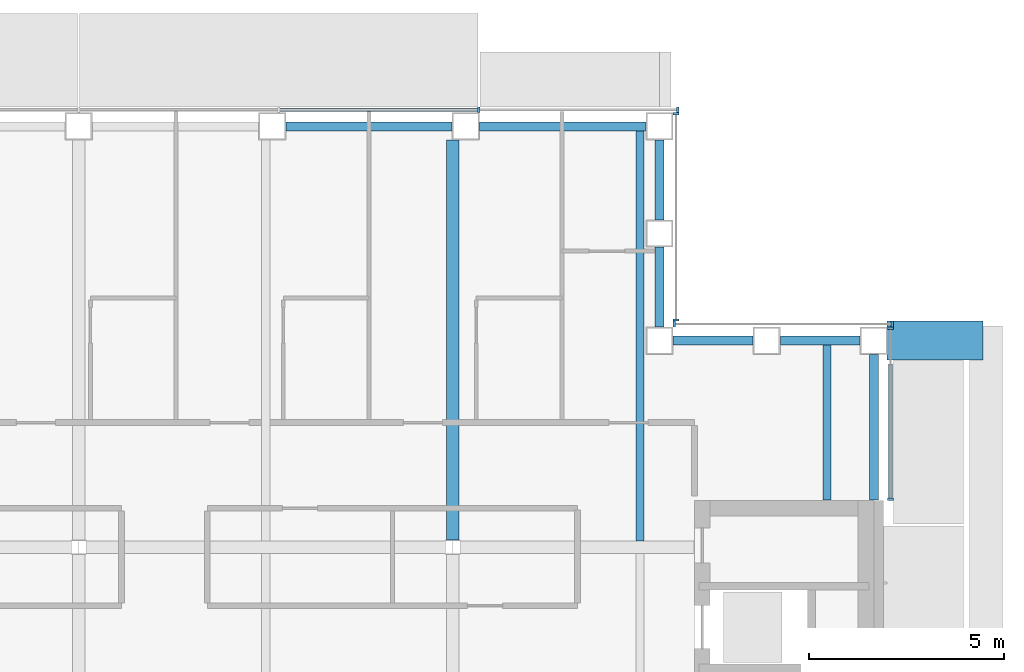
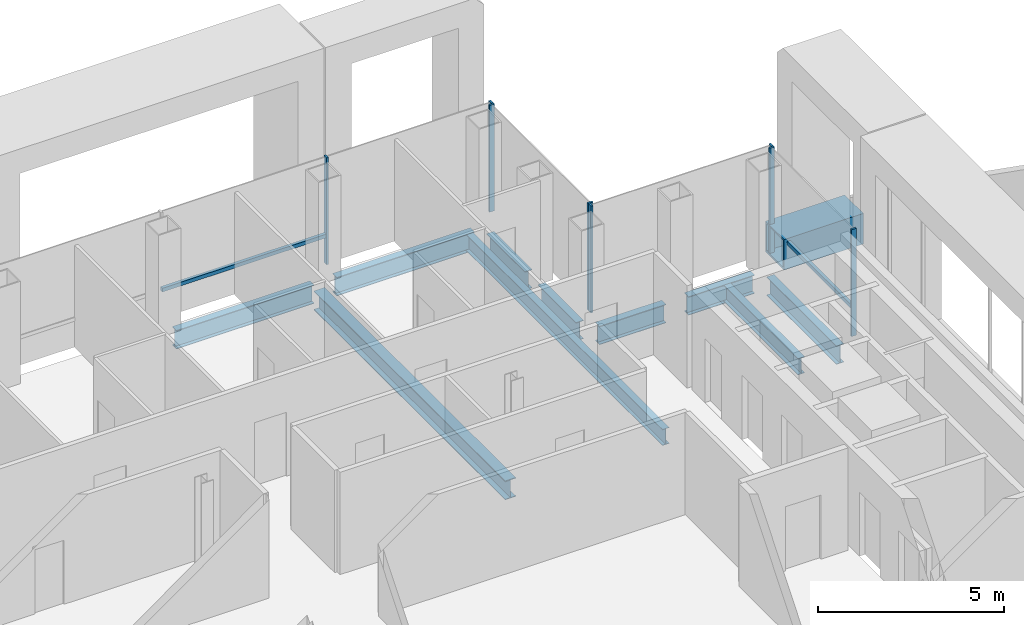
# One storey, part 9 of 21: 11 beams, 10 members, 4 elements without a shape of their own.
"""IFC4 building model written with IfcOpenShell, lengths in metres."""

from ifc_helpers import new_model, si_unit, direction, frame, origin, origin_2d, place, context, subcontext, project, spatial, rectangle, hollow_rectangle, i_section, extrude, material, material_profile, profile_set, type_object, element, aggregate, save


model = new_model("IFC4")

# Units and contexts
model_context = context("Model", 3, precision=1e-05, world=origin(), true_north=direction((0.0, 1.0)))
body_context = subcontext(model_context, "Body", "Model", "MODEL_VIEW")
ifc_project = project(units=[si_unit("LENGTHUNIT", "METRE"), si_unit("AREAUNIT", "SQUARE_METRE"), si_unit("VOLUMEUNIT", "CUBIC_METRE"), si_unit("PLANEANGLEUNIT", "RADIAN"), si_unit("MASSUNIT", "GRAM", prefix="KILO")], contexts=[model_context])

# Site, building, storey
site_placement = place(None, origin())
site = spatial("IfcSite", under=ifc_project, at=site_placement, CompositionType="ELEMENT")
building_placement = place(site_placement, origin())
building = spatial("IfcBuilding", under=site, at=building_placement, Name="Cobrizo Arcos Hotel Tower", CompositionType="ELEMENT")
storey_placement = place(building_placement, frame((0.0, 0.0, 212.0)))
storey = spatial("IfcBuildingStorey", under=building, at=storey_placement, Name="L55", CompositionType="ELEMENT", Elevation=212.0)

# Beam
ifc_material_1 = material(Name="Steel ASTM A572 Grade 50", Category="steel")
ifc_material_profile_1 = material_profile(ifc_material_1, hollow_rectangle(XDim=1.0, YDim=1.0, WallThickness=0.06005859375, at=origin_2d()), Name="BOX 1000X1000X60")
ifc_profile_set_1 = profile_set([ifc_material_profile_1], Name="Steel ASTM A572 Grade 50")
beam_type_1 = type_object("IfcBeamType", Name="BOX 1000X1000X60 brace connector strut", PredefinedType="BEAM", material=ifc_profile_set_1)
beam_1_placement = place(storey_placement, frame((20.739990234375, 14.89990234375, 0.5), z_axis=(1.0, 0.0, 0.0), x_axis=(0.0, 1.0, 0.0)))
element("IfcBeam", 1, at=beam_1_placement, inside=storey, type_object=beam_type_1, Name="Perimeter brace stub BS1, zone Z4, east face, offset +14.90 m, L55", PredefinedType="BEAM", context=body_context, shape_type="SweptSolid", body=[
    extrude(hollow_rectangle(XDim=1.0, YDim=1.0, WallThickness=0.06005859375, at=origin_2d()), origin(), (0.0, 0.0, 1.0), 2.455078125),
])

# Curtain wall, members
ifc_material_2 = material(Name="Aluminium 6063-T6 anodised bronze", Category="aluminium")
curtain_wall_type = type_object("IfcCurtainWallType", Name="CW-A guest facade", PredefinedType="NOTDEFINED", material=ifc_material_2)
curtain_wall_1_placement = place(storey_placement, origin())
curtain_wall_1 = element("IfcCurtainWall", 2, at=curtain_wall_1_placement, inside=storey, type_object=curtain_wall_type, Name="CW-A L55 E face", PredefinedType="NOTDEFINED")
ifc_material_profile_2 = material_profile(ifc_material_2, rectangle(XDim=0.14990234375, YDim=0.06005859375, at=origin_2d()), Name="CW-A mullion 150x60")
ifc_profile_set_2 = profile_set([ifc_material_profile_2], Name="Aluminium 6063-T6 anodised bronze")
member_type_1 = type_object("IfcMemberType", Name="CW-A mullion 150x60", PredefinedType="MULLION", material=ifc_profile_set_2)
member_1_placement = place(storey_placement, frame((20.824951171875, 10.830078125, 0.0), z_axis=(0.0, 0.0, 1.0), x_axis=(1.0, 0.0, 0.0)))
member_1 = element("IfcMember", 3, at=member_1_placement, type_object=member_type_1, Name="CW-A mullion 1", PredefinedType="MULLION", context=body_context, shape_type="SweptSolid", body=[
    extrude(rectangle(XDim=0.14990234375, YDim=0.06005859375, at=origin_2d()), origin(), (0.0, 0.0, 1.0), 3.5),
])
member_2_placement = place(storey_placement, frame((20.824951171875, 15.219970703125, 0.0), z_axis=(0.0, 0.0, 1.0), x_axis=(1.0, 0.0, 0.0)))
member_2 = element("IfcMember", 4, at=member_2_placement, type_object=member_type_1, Name="CW-A mullion 2", PredefinedType="MULLION", context=body_context, shape_type="SweptSolid", body=[
    extrude(rectangle(XDim=0.14990234375, YDim=0.06005859375, at=origin_2d()), origin(), (0.0, 0.0, 1.0), 3.5),
])

curtain_wall_2_placement = place(storey_placement, origin())
curtain_wall_2 = element("IfcCurtainWall", 5, at=curtain_wall_2_placement, inside=storey, type_object=curtain_wall_type, Name="CW-A L55 N face", PredefinedType="NOTDEFINED")
member_3_placement = place(storey_placement, frame((20.8701171875, 15.324951171875, 0.0), z_axis=(0.0, 0.0, 1.0), x_axis=(0.0, 1.0, 0.0)))
member_3 = element("IfcMember", 6, at=member_3_placement, type_object=member_type_1, Name="CW-A mullion 1", PredefinedType="MULLION", context=body_context, shape_type="SweptSolid", body=[
    extrude(rectangle(XDim=0.14990234375, YDim=0.06005859375, at=origin_2d()), origin(), (0.0, 0.0, 1.0), 3.5),
])
member_4_placement = place(storey_placement, frame((15.280029296875, 15.324951171875, 0.0), z_axis=(0.0, 0.0, 1.0), x_axis=(0.0, 1.0, 0.0)))
member_4 = element("IfcMember", 7, at=member_4_placement, type_object=member_type_1, Name="CW-A mullion 2", PredefinedType="MULLION", context=body_context, shape_type="SweptSolid", body=[
    extrude(rectangle(XDim=0.14990234375, YDim=0.06005859375, at=origin_2d()), origin(), (0.0, 0.0, 1.0), 3.5),
])
aggregate(curtain_wall_2, [member_3, member_4])

curtain_wall_3_placement = place(storey_placement, origin())
curtain_wall_3 = element("IfcCurtainWall", 8, at=curtain_wall_3_placement, inside=storey, type_object=curtain_wall_type, Name="CW-A L55 E face", PredefinedType="NOTDEFINED")
member_5_placement = place(storey_placement, frame((15.324951171875, 15.429931640625, 0.0), z_axis=(0.0, 0.0, 1.0), x_axis=(1.0, 0.0, 0.0)))
member_5 = element("IfcMember", 9, at=member_5_placement, type_object=member_type_1, Name="CW-A mullion 1", PredefinedType="MULLION", context=body_context, shape_type="SweptSolid", body=[
    extrude(rectangle(XDim=0.14990234375, YDim=0.06005859375, at=origin_2d()), origin(), (0.0, 0.0, 1.0), 3.5),
])
member_6_placement = place(storey_placement, frame((15.324951171875, 20.719970703125, 0.0), z_axis=(0.0, 0.0, 1.0), x_axis=(1.0, 0.0, 0.0)))
member_6 = element("IfcMember", 10, at=member_6_placement, type_object=member_type_1, Name="CW-A mullion 2", PredefinedType="MULLION", context=body_context, shape_type="SweptSolid", body=[
    extrude(rectangle(XDim=0.14990234375, YDim=0.06005859375, at=origin_2d()), origin(), (0.0, 0.0, 1.0), 3.5),
])
aggregate(curtain_wall_3, [member_5, member_6])

curtain_wall_4_placement = place(storey_placement, origin())
curtain_wall_4 = element("IfcCurtainWall", 11, at=curtain_wall_4_placement, inside=storey, type_object=curtain_wall_type, Name="CW-A L55 N face", PredefinedType="NOTDEFINED")
member_7_placement = place(storey_placement, frame((15.3701171875, 20.824951171875, 0.0), z_axis=(0.0, 0.0, 1.0), x_axis=(0.0, 1.0, 0.0)))
member_7 = element("IfcMember", 12, at=member_7_placement, type_object=member_type_1, Name="CW-A mullion 1", PredefinedType="MULLION", context=body_context, shape_type="SweptSolid", body=[
    extrude(rectangle(XDim=0.14990234375, YDim=0.06005859375, at=origin_2d()), origin(), (0.0, 0.0, 1.0), 3.5),
])
member_8_placement = place(storey_placement, frame((10.2666015625, 20.824951171875, 0.0), z_axis=(0.0, 0.0, 1.0), x_axis=(0.0, 1.0, 0.0)))
member_8 = element("IfcMember", 13, at=member_8_placement, type_object=member_type_1, Name="CW-A mullion 2", PredefinedType="MULLION", context=body_context, shape_type="SweptSolid", body=[
    extrude(rectangle(XDim=0.14990234375, YDim=0.06005859375, at=origin_2d()), origin(), (0.0, 0.0, 1.0), 3.5),
])

# Member
ifc_material_profile_3 = material_profile(ifc_material_2, rectangle(XDim=0.10009765625, YDim=0.1201171875, at=origin_2d()), Name="CW-A transom 120x100")
ifc_profile_set_3 = profile_set([ifc_material_profile_3], Name="Aluminium 6063-T6 anodised bronze")
member_type_2 = type_object("IfcMemberType", Name="CW-A transom 120x100", PredefinedType="USERDEFINED", material=ifc_profile_set_3)
member_9_placement = place(storey_placement, frame((20.824951171875, 10.860107421875, 0.929931640625), z_axis=(0.0, 1.0, 0.0), x_axis=(-1.0, 0.0, 0.0)))
member_9 = element("IfcMember", 14, at=member_9_placement, type_object=member_type_2, Name="CW-A transom 1849", ObjectType="TRANSOM", PredefinedType="USERDEFINED", context=body_context, shape_type="SweptSolid", body=[
    extrude(rectangle(XDim=0.10009765625, YDim=0.1201171875, at=origin_2d()), origin(), (0.0, 0.0, 1.0), 3.43994140625),
])

aggregate(curtain_wall_1, [member_1, member_2, member_9])

member_10_placement = place(storey_placement, frame((10.236572265625, 20.824951171875, 0.929931640625), z_axis=(-1.0, 0.0, 0.0), x_axis=(0.0, -1.0, 0.0)))
member_10 = element("IfcMember", 15, at=member_10_placement, type_object=member_type_2, Name="CW-A transom 1853", ObjectType="TRANSOM", PredefinedType="USERDEFINED", context=body_context, shape_type="SweptSolid", body=[
    extrude(rectangle(XDim=0.10009765625, YDim=0.1201171875, at=origin_2d()), origin(), (0.0, 0.0, 1.0), 5.0732421875),
])

aggregate(curtain_wall_4, [member_7, member_8, member_10])

# Beams
ifc_material_3 = material(Name="Steel ASTM A992 Grade 50", Category="steel")
ifc_material_profile_4 = material_profile(ifc_material_3, i_section(OverallWidth=0.209228515625, OverallDepth=0.533447265625, WebThickness=0.01025390625, FlangeThickness=0.015625, at=origin_2d()), Name="W21X62")
ifc_profile_set_4 = profile_set([ifc_material_profile_4], Name="Steel ASTM A992 Grade 50")
beam_type_2 = type_object("IfcBeamType", Name="W21X62 joist", PredefinedType="JOIST", material=ifc_profile_set_4)
beam_2_placement = place(storey_placement, frame((14.39990234375, 9.763916015625, -0.416748046875), z_axis=(0.0, 1.0, 0.0), x_axis=(-1.0, 0.0, 0.0)))
element("IfcBeam", 16, at=beam_2_placement, inside=storey, type_object=beam_type_2, Name="Floor joist J1, L55, no. 018", PredefinedType="JOIST", context=body_context, shape_type="SweptSolid", body=[
    extrude(i_section(OverallWidth=0.209228515625, OverallDepth=0.533447265625, WebThickness=0.01025390625, FlangeThickness=0.015625, at=origin_2d()), origin(), (0.0, 0.0, 1.0), 10.546142578125),
])
beam_3_placement = place(storey_placement, frame((19.199951171875, 10.81005859375, -0.416748046875), z_axis=(0.0, 1.0, 0.0), x_axis=(-1.0, 0.0, 0.0)))
element("IfcBeam", 17, at=beam_3_placement, inside=storey, type_object=beam_type_2, Name="Floor joist J1, L55, no. 020", PredefinedType="JOIST", context=body_context, shape_type="SweptSolid", body=[
    extrude(i_section(OverallWidth=0.209228515625, OverallDepth=0.533447265625, WebThickness=0.01025390625, FlangeThickness=0.015625, at=origin_2d()), origin(), (0.0, 0.0, 1.0), 4.0),
])
ifc_material_profile_5 = material_profile(ifc_material_3, i_section(OverallWidth=0.32763671875, OverallDepth=0.622314453125, WebThickness=0.015380859375, FlangeThickness=0.0244140625, at=origin_2d()), Name="W24X131")
ifc_profile_set_5 = profile_set([ifc_material_profile_5], Name="Steel ASTM A992 Grade 50")
beam_type_3 = type_object("IfcBeamType", Name="W24X131 girder", PredefinedType="BEAM", material=ifc_profile_set_5)
beam_4_placement = place(storey_placement, frame((9.60009765625, 9.78662109375, -0.461181640625), z_axis=(0.0, 1.0, 0.0), x_axis=(-1.0, 0.0, 0.0)))
element("IfcBeam", 18, at=beam_4_placement, inside=storey, type_object=beam_type_3, Name="Floor girder G1, L55, no. 024", PredefinedType="BEAM", context=body_context, shape_type="SweptSolid", body=[
    extrude(i_section(OverallWidth=0.32763671875, OverallDepth=0.622314453125, WebThickness=0.015380859375, FlangeThickness=0.0244140625, at=origin_2d()), origin(), (0.0, 0.0, 1.0), 10.263427734375),
])
ifc_material_profile_6 = material_profile(ifc_material_3, i_section(OverallWidth=0.228271484375, OverallDepth=0.607177734375, WebThickness=0.01123046875, FlangeThickness=0.017333984375, at=origin_2d()), Name="W24X76")
ifc_profile_set_6 = profile_set([ifc_material_profile_6], Name="Steel ASTM A992 Grade 50")
beam_type_4 = type_object("IfcBeamType", Name="W24X76 spandrel", PredefinedType="SPANDREL", material=ifc_profile_set_6)
beam_5_placement = place(storey_placement, frame((20.39990234375, 10.81005859375, -0.45361328125), z_axis=(0.0, 1.0, 0.0), x_axis=(-1.0, 0.0, 0.0)))
element("IfcBeam", 19, at=beam_5_placement, inside=storey, type_object=beam_type_4, Name="Spandrel beam W24X76, L55, no. 012", PredefinedType="SPANDREL", context=body_context, shape_type="SweptSolid", body=[
    extrude(i_section(OverallWidth=0.228271484375, OverallDepth=0.607177734375, WebThickness=0.01123046875, FlangeThickness=0.017333984375, at=origin_2d()), origin(), (0.0, 0.0, 1.0), 3.739990234375),
])
for number, where, z_axis, x_axis, name in (
    (20, (20.050048828125, 14.89990234375, -0.45361328125), (-1.0, 0.0, 0.0), (0.0, -1.0, 0.0), "Spandrel beam W24X76, L55, no. 013"),
    (21, (17.300048828125, 14.89990234375, -0.45361328125), (-1.0, 0.0, 0.0), (0.0, -1.0, 0.0), "Spandrel beam W24X76, L55, no. 014"),
    (22, (14.89990234375, 15.25, -0.45361328125), (0.0, 1.0, 0.0), (-1.0, 0.0, 0.0), "Spandrel beam W24X76, L55, no. 015"),
    (23, (14.89990234375, 18.0, -0.45361328125), (0.0, 1.0, 0.0), (-1.0, 0.0, 0.0), "Spandrel beam W24X76, L55, no. 016"),
):
    element("IfcBeam", number, at=place(storey_placement, frame(where, z_axis=z_axis, x_axis=x_axis)), inside=storey, type_object=beam_type_4, Name=name, PredefinedType="SPANDREL", context=body_context, shape_type="SweptSolid", body=[
        extrude(i_section(OverallWidth=0.228271484375, OverallDepth=0.607177734375, WebThickness=0.01123046875, FlangeThickness=0.017333984375, at=origin_2d()), origin(), (0.0, 0.0, 1.0), 2.050048828125),
    ])
beam_6_placement = place(storey_placement, frame((14.550048828125, 20.39990234375, -0.45361328125), z_axis=(-1.0, 0.0, 0.0), x_axis=(0.0, -1.0, 0.0)))
element("IfcBeam", 24, at=beam_6_placement, inside=storey, type_object=beam_type_4, Name="Spandrel beam W24X76, L55, no. 017", PredefinedType="SPANDREL", context=body_context, shape_type="SweptSolid", body=[
    extrude(i_section(OverallWidth=0.228271484375, OverallDepth=0.607177734375, WebThickness=0.01123046875, FlangeThickness=0.017333984375, at=origin_2d()), origin(), (0.0, 0.0, 1.0), 4.26708984375),
])
beam_7_placement = place(storey_placement, frame((9.5830078125, 20.39990234375, -0.45361328125), z_axis=(-1.0, 0.0, 0.0), x_axis=(0.0, -1.0, 0.0)))
element("IfcBeam", 25, at=beam_7_placement, inside=storey, type_object=beam_type_4, Name="Spandrel beam W24X76, L55, no. 018", PredefinedType="SPANDREL", context=body_context, shape_type="SweptSolid", body=[
    extrude(i_section(OverallWidth=0.228271484375, OverallDepth=0.607177734375, WebThickness=0.01123046875, FlangeThickness=0.017333984375, at=origin_2d()), origin(), (0.0, 0.0, 1.0), 4.26611328125),
])

save(model, "model.ifc")
